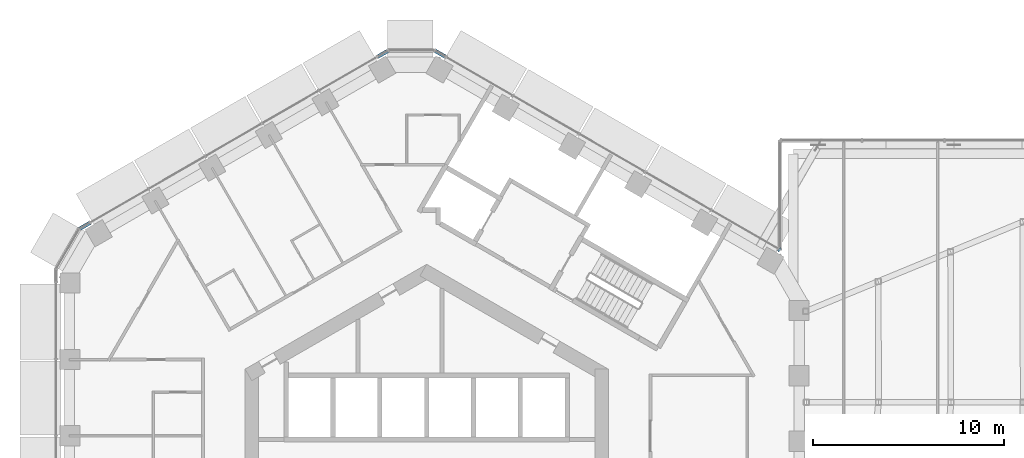
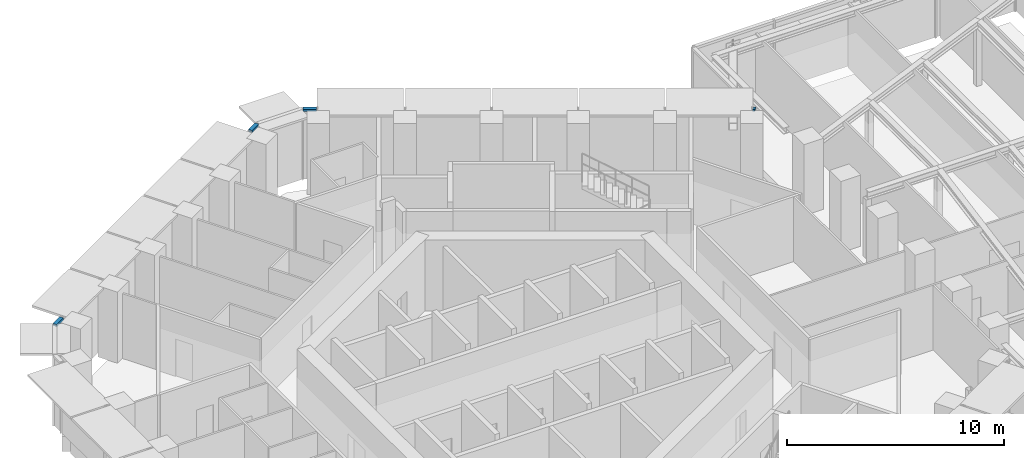
# One storey, part 9 of 24: 4 members, 3 elements without a shape of their own.
"""IFC4 building model written with IfcOpenShell, lengths in metres."""

from ifc_helpers import new_model, si_unit, direction, frame, origin, origin_2d, place, context, subcontext, project, spatial, rectangle, extrude, material, layer, layer_set, material_profile, profile_set, type_object, element, aggregate, save


model = new_model("IFC4")

# Units and contexts
model_context = context("Model", 3, precision=1e-05, world=origin(), true_north=direction((0.0, 1.0)))
body_context = subcontext(model_context, "Body", "Model", "MODEL_VIEW")
ifc_project = project(units=[si_unit("LENGTHUNIT", "METRE"), si_unit("AREAUNIT", "SQUARE_METRE"), si_unit("VOLUMEUNIT", "CUBIC_METRE"), si_unit("PLANEANGLEUNIT", "RADIAN"), si_unit("MASSUNIT", "GRAM", prefix="KILO")], contexts=[model_context])

# Site, building, storey
site_placement = place(None, origin())
site = spatial("IfcSite", under=ifc_project, at=site_placement, CompositionType="ELEMENT")
building_placement = place(site_placement, origin())
building = spatial("IfcBuilding", under=site, at=building_placement, Name="Ayvan Gate Tower", CompositionType="ELEMENT")
storey_placement = place(building_placement, frame((0.0, 0.0, 128.5)))
storey = spatial("IfcBuildingStorey", under=building, at=storey_placement, Name="L34", CompositionType="ELEMENT", Elevation=128.5)

# Curtain wall, member
ifc_material = material(Name="Bronze anodised aluminium", Category="aluminium")
ifc_layer = layer(ifc_material, 0.199951171875)
ifc_layer_set = layer_set([ifc_layer], Name="Bronze anodised aluminium")
curtain_wall_type = type_object("IfcCurtainWallType", Name="Stick curtain wall CW-6", PredefinedType="NOTDEFINED", material=ifc_layer_set)
curtain_wall_1_placement = place(storey_placement, origin())
curtain_wall_1 = element("IfcCurtainWall", 1, at=curtain_wall_1_placement, inside=storey, type_object=curtain_wall_type, Name="Stick curtain wall CW-6 L34", PredefinedType="NOTDEFINED")
ifc_material_profile = material_profile(ifc_material, rectangle(XDim=0.199951171875, YDim=0.1201171875, at=origin_2d()), Name="Stick curtain wall CW-6 transom 200 x 120")
ifc_profile_set = profile_set([ifc_material_profile], Name="Bronze anodised aluminium")
member_type = type_object("IfcMemberType", Name="Stick curtain wall CW-6 transom 200 x 120", PredefinedType="USERDEFINED", material=ifc_profile_set)
member_1_placement = place(storey_placement, frame((18.485595703125, 11.69091796875, 3.93994140625), z_axis=(-0.707106781187, 0.707106781187, 0.0), x_axis=(-0.707106781187, -0.707106781187, 0.0)))
member_1 = element("IfcMember", 2, at=member_1_placement, type_object=member_type, Name="CW-6 transom 1", ObjectType="TRANSOM", PredefinedType="USERDEFINED", context=body_context, shape_type="SweptSolid", body=[
    extrude(rectangle(XDim=0.199951171875, YDim=0.1201171875, at=origin_2d()), origin(), (0.0, 0.0, 1.0), 0.099365234375),
])
aggregate(curtain_wall_1, [member_1])

# Curtain wall, members
curtain_wall_2_placement = place(storey_placement, origin())
curtain_wall_2 = element("IfcCurtainWall", 3, at=curtain_wall_2_placement, inside=storey, type_object=curtain_wall_type, Name="Stick curtain wall CW-6 L34", PredefinedType="NOTDEFINED")
member_2_placement = place(storey_placement, frame((0.977783203125, 21.828857421875, 3.93994140625), z_axis=(-0.866022959057, 0.500004234368, 0.0), x_axis=(-0.500004234368, -0.866022959057, 0.0)))
member_2 = element("IfcMember", 4, at=member_2_placement, type_object=member_type, Name="CW-6 transom 1", ObjectType="TRANSOM", PredefinedType="USERDEFINED", context=body_context, shape_type="SweptSolid", body=[
    extrude(rectangle(XDim=0.199951171875, YDim=0.1201171875, at=origin_2d()), origin(), (0.0, 0.0, 1.0), 0.625),
])
member_3_placement = place(storey_placement, frame((-2.021484375, 22.141357421875, 3.93994140625), z_axis=(-0.866022959057, -0.500004234368, 0.0), x_axis=(0.500004234368, -0.866022959057, 0.0)))
member_3 = element("IfcMember", 5, at=member_3_placement, type_object=member_type, Name="CW-6 transom 3", ObjectType="TRANSOM", PredefinedType="USERDEFINED", context=body_context, shape_type="SweptSolid", body=[
    extrude(rectangle(XDim=0.199951171875, YDim=0.1201171875, at=origin_2d()), origin(), (0.0, 0.0, 1.0), 0.625),
])
aggregate(curtain_wall_2, [member_2, member_3])

# Curtain wall, member
curtain_wall_3_placement = place(storey_placement, origin())
curtain_wall_3 = element("IfcCurtainWall", 6, at=curtain_wall_3_placement, inside=storey, type_object=curtain_wall_type, Name="Stick curtain wall CW-6 L34", PredefinedType="NOTDEFINED")
member_4_placement = place(storey_placement, frame((-17.622802734375, 13.1337890625, 3.93994140625), z_axis=(-0.866120568253, -0.499835134068, 0.0), x_axis=(0.499835134068, -0.866120568253, 0.0)))
member_4 = element("IfcMember", 7, at=member_4_placement, type_object=member_type, Name="CW-6 transom 1", ObjectType="TRANSOM", PredefinedType="USERDEFINED", context=body_context, shape_type="SweptSolid", body=[
    extrude(rectangle(XDim=0.199951171875, YDim=0.1201171875, at=origin_2d()), origin(), (0.0, 0.0, 1.0), 0.625244140625),
])
aggregate(curtain_wall_3, [member_4])

save(model, "model.ifc")
